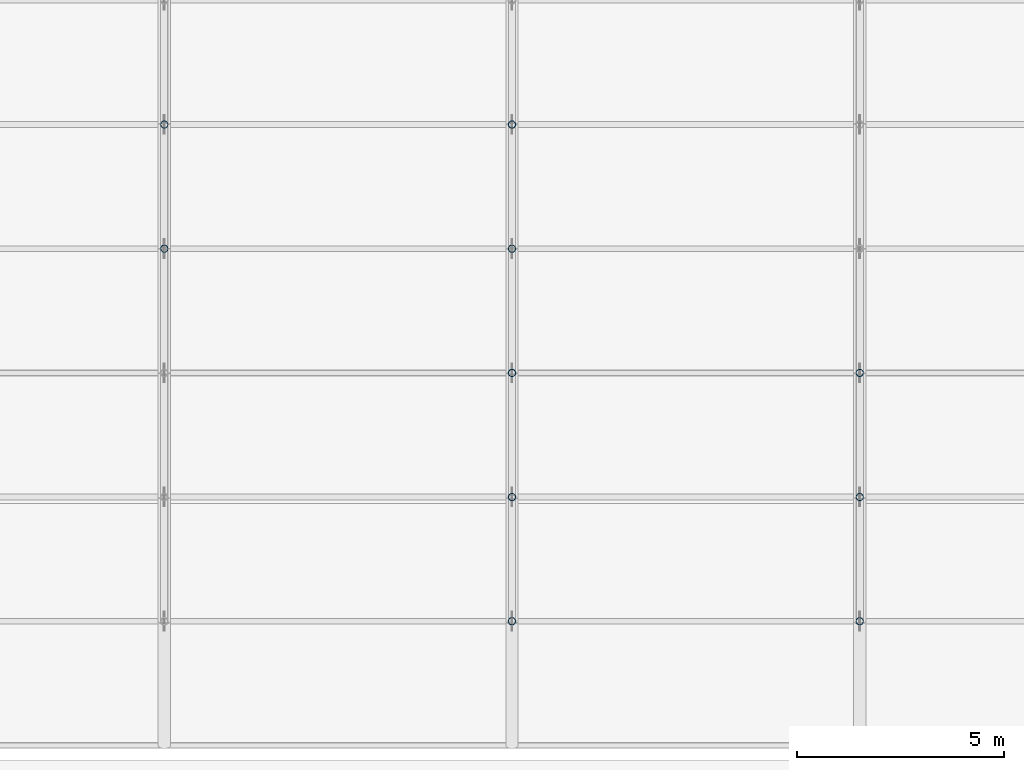
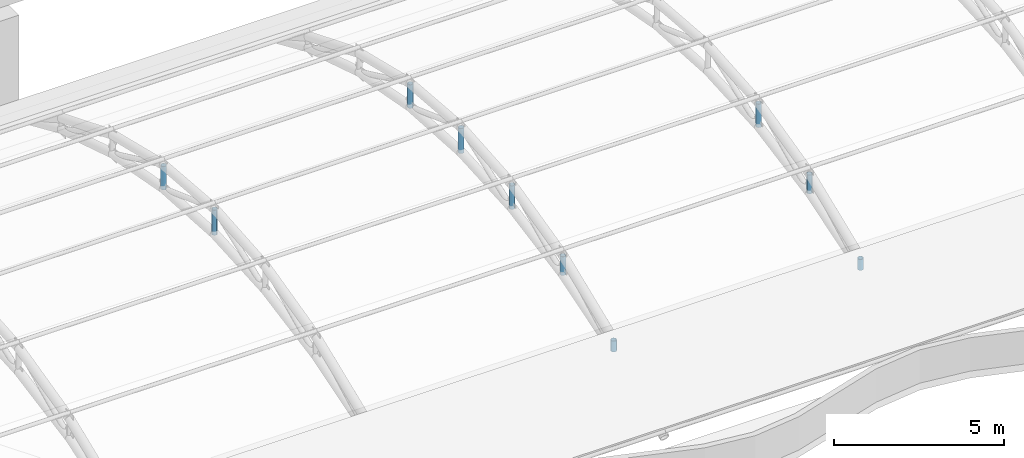
# One storey, part 90 of 163: 10 members.
"""IFC4 building model written with IfcOpenShell, lengths in metres."""

from ifc_helpers import new_model, si_unit, direction, frame, origin, origin_2d, place, context, subcontext, project, spatial, hollow_circle, extrude, material, material_profile, profile_set, type_object, element, save


model = new_model("IFC4")

# Units and contexts
model_context = context("Model", 3, precision=1e-05, world=origin(), true_north=direction((0.0, 1.0)))
body_context = subcontext(model_context, "Body", "Model", "MODEL_VIEW")
ifc_project = project(units=[si_unit("LENGTHUNIT", "METRE"), si_unit("AREAUNIT", "SQUARE_METRE"), si_unit("VOLUMEUNIT", "CUBIC_METRE"), si_unit("PLANEANGLEUNIT", "RADIAN"), si_unit("MASSUNIT", "GRAM", prefix="KILO")], contexts=[model_context])

# Site, building, storey
site_placement = place(None, origin())
site = spatial("IfcSite", under=ifc_project, at=site_placement, CompositionType="ELEMENT")
building_placement = place(site_placement, origin())
building = spatial("IfcBuilding", under=site, at=building_placement, Name="Rain Tree Exposition and Congress Centre", CompositionType="ELEMENT")
storey_placement = place(building_placement, frame((0.0, 0.0, 10.5)))
storey = spatial("IfcBuildingStorey", under=building, at=storey_placement, Name="L02", CompositionType="ELEMENT", Elevation=10.5)

# Members
ifc_material = material(Name="Steel S355J2H", Category="steel")
ifc_material_profile = material_profile(ifc_material, hollow_circle(Radius=0.090087890625, WallThickness=0.008056640625, at=origin_2d()), Name="CHS 180x8")
ifc_profile_set = profile_set([ifc_material_profile], Name="Steel S355J2H")
member_type = type_object("IfcMemberType", Name="Steel post member CHS 180x8", PredefinedType="POST", material=ifc_profile_set)
member_1_placement = place(storey_placement, frame((226.800048828125, 87.60009765625, 3.1298828125), z_axis=(0.0, 0.0, 1.0), x_axis=(1.0, 0.0, 0.0)))
element("IfcMember", 1, at=member_1_placement, inside=storey, type_object=member_type, Name="Roof truss 28 post 4", PredefinedType="POST", context=body_context, shape_type="SweptSolid", body=[
    extrude(hollow_circle(Radius=0.090087890625, WallThickness=0.008056640625, at=origin_2d()), origin(), (0.0, 0.0, 1.0), 0.900146484375),
])
member_2_placement = place(storey_placement, frame((226.800048828125, 90.60009765625, 2.9423828125), z_axis=(0.0, 0.0, 1.0), x_axis=(1.0, 0.0, 0.0)))
element("IfcMember", 2, at=member_2_placement, inside=storey, type_object=member_type, Name="Roof truss 28 post 5", PredefinedType="POST", context=body_context, shape_type="SweptSolid", body=[
    extrude(hollow_circle(Radius=0.090087890625, WallThickness=0.008056640625, at=origin_2d()), origin(), (0.0, 0.0, 1.0), 0.843994140625),
])
member_3_placement = place(storey_placement, frame((235.199951171875, 78.60009765625, 1.4423828125), z_axis=(0.0, 0.0, 1.0), x_axis=(1.0, 0.0, 0.0)))
element("IfcMember", 3, at=member_3_placement, inside=storey, type_object=member_type, Name="Roof truss 29 post 1", PredefinedType="POST", context=body_context, shape_type="SweptSolid", body=[
    extrude(hollow_circle(Radius=0.090087890625, WallThickness=0.008056640625, at=origin_2d()), origin(), (0.0, 0.0, 1.0), 0.393798828125),
])
member_4_placement = place(storey_placement, frame((235.199951171875, 81.60009765625, 2.3798828125), z_axis=(0.0, 0.0, 1.0), x_axis=(1.0, 0.0, 0.0)))
element("IfcMember", 4, at=member_4_placement, inside=storey, type_object=member_type, Name="Roof truss 29 post 2", PredefinedType="POST", context=body_context, shape_type="SweptSolid", body=[
    extrude(hollow_circle(Radius=0.090087890625, WallThickness=0.008056640625, at=origin_2d()), origin(), (0.0, 0.0, 1.0), 0.675048828125),
])
member_5_placement = place(storey_placement, frame((235.199951171875, 84.60009765625, 2.9423828125), z_axis=(0.0, 0.0, 1.0), x_axis=(1.0, 0.0, 0.0)))
element("IfcMember", 5, at=member_5_placement, inside=storey, type_object=member_type, Name="Roof truss 29 post 3", PredefinedType="POST", context=body_context, shape_type="SweptSolid", body=[
    extrude(hollow_circle(Radius=0.090087890625, WallThickness=0.008056640625, at=origin_2d()), origin(), (0.0, 0.0, 1.0), 0.843994140625),
])
member_6_placement = place(storey_placement, frame((235.199951171875, 87.60009765625, 3.1298828125), z_axis=(0.0, 0.0, 1.0), x_axis=(1.0, 0.0, 0.0)))
element("IfcMember", 6, at=member_6_placement, inside=storey, type_object=member_type, Name="Roof truss 29 post 4", PredefinedType="POST", context=body_context, shape_type="SweptSolid", body=[
    extrude(hollow_circle(Radius=0.090087890625, WallThickness=0.008056640625, at=origin_2d()), origin(), (0.0, 0.0, 1.0), 0.900146484375),
])
member_7_placement = place(storey_placement, frame((235.199951171875, 90.60009765625, 2.9423828125), z_axis=(0.0, 0.0, 1.0), x_axis=(1.0, 0.0, 0.0)))
element("IfcMember", 7, at=member_7_placement, inside=storey, type_object=member_type, Name="Roof truss 29 post 5", PredefinedType="POST", context=body_context, shape_type="SweptSolid", body=[
    extrude(hollow_circle(Radius=0.090087890625, WallThickness=0.008056640625, at=origin_2d()), origin(), (0.0, 0.0, 1.0), 0.843994140625),
])
member_8_placement = place(storey_placement, frame((243.60009765625, 78.60009765625, 1.4423828125), z_axis=(0.0, 0.0, 1.0), x_axis=(1.0, 0.0, 0.0)))
element("IfcMember", 8, at=member_8_placement, inside=storey, type_object=member_type, Name="Roof truss 30 post 1", PredefinedType="POST", context=body_context, shape_type="SweptSolid", body=[
    extrude(hollow_circle(Radius=0.090087890625, WallThickness=0.008056640625, at=origin_2d()), origin(), (0.0, 0.0, 1.0), 0.393798828125),
])
member_9_placement = place(storey_placement, frame((243.60009765625, 81.60009765625, 2.3798828125), z_axis=(0.0, 0.0, 1.0), x_axis=(1.0, 0.0, 0.0)))
element("IfcMember", 9, at=member_9_placement, inside=storey, type_object=member_type, Name="Roof truss 30 post 2", PredefinedType="POST", context=body_context, shape_type="SweptSolid", body=[
    extrude(hollow_circle(Radius=0.090087890625, WallThickness=0.008056640625, at=origin_2d()), origin(), (0.0, 0.0, 1.0), 0.675048828125),
])
member_10_placement = place(storey_placement, frame((243.60009765625, 84.60009765625, 2.9423828125), z_axis=(0.0, 0.0, 1.0), x_axis=(1.0, 0.0, 0.0)))
element("IfcMember", 10, at=member_10_placement, inside=storey, type_object=member_type, Name="Roof truss 30 post 3", PredefinedType="POST", context=body_context, shape_type="SweptSolid", body=[
    extrude(hollow_circle(Radius=0.090087890625, WallThickness=0.008056640625, at=origin_2d()), origin(), (0.0, 0.0, 1.0), 0.843994140625),
])

save(model, "model.ifc")
